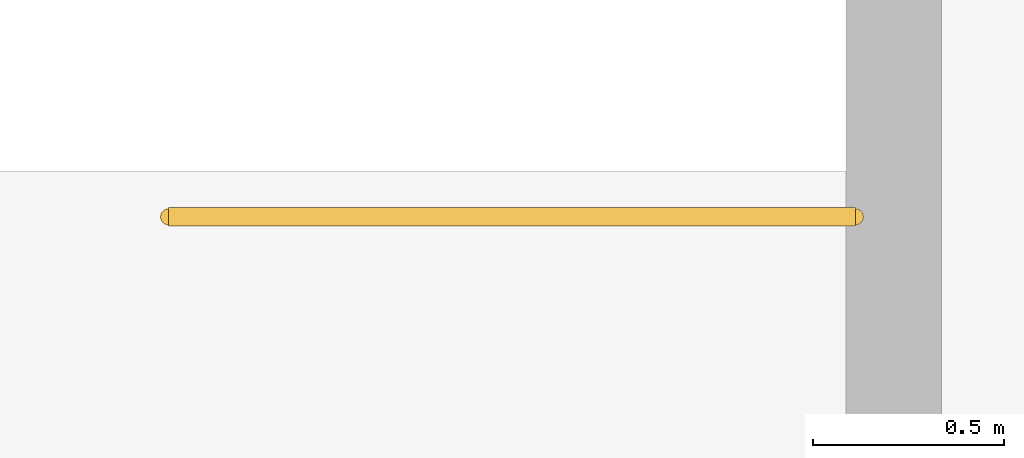
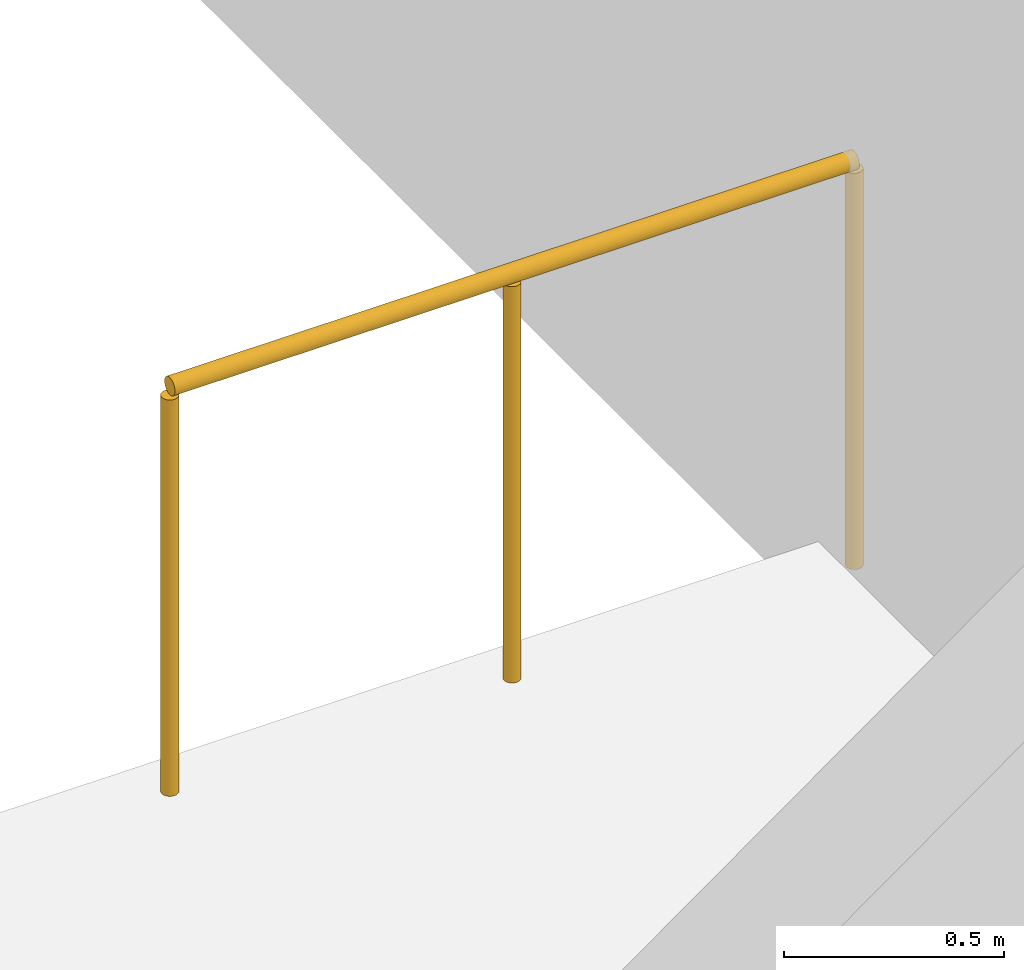
# One storey, part 21 of 21: 1 railing.
"""IFC4 building model written with IfcOpenShell, lengths in metres."""

from ifc_helpers import new_model, si_unit, direction, frame, origin, origin_2d, place, context, subcontext, project, spatial, circle, extrude, material, layer, layer_set, type_object, element, save


model = new_model("IFC4")

# Units and contexts
model_context = context("Model", 3, precision=1e-05, world=origin(), true_north=direction((0.0, 1.0)))
body_context = subcontext(model_context, "Body", "Model", "MODEL_VIEW")
ifc_project = project(units=[si_unit("LENGTHUNIT", "METRE"), si_unit("AREAUNIT", "SQUARE_METRE"), si_unit("VOLUMEUNIT", "CUBIC_METRE"), si_unit("PLANEANGLEUNIT", "RADIAN"), si_unit("MASSUNIT", "GRAM", prefix="KILO")], contexts=[model_context])

# Site, building, storey
site_placement = place(None, origin())
site = spatial("IfcSite", under=ifc_project, at=site_placement, CompositionType="ELEMENT")
building_placement = place(site_placement, origin())
building = spatial("IfcBuilding", under=site, at=building_placement, Name="Kallvorn Hotel Tower", CompositionType="ELEMENT")
storey_placement = place(building_placement, frame((0.0, 0.0, 300.60009765625)))
storey = spatial("IfcBuildingStorey", under=building, at=storey_placement, Name="L74", CompositionType="ELEMENT", Elevation=300.60009765625)

# Railing
ifc_material = material(Name="Brushed stainless-steel tubular railing", Category="steel")
ifc_layer = layer(ifc_material, 0.050048828125)
ifc_layer_set = layer_set([ifc_layer], Name="RL_STAIR_GUARD")
railing_type = type_object("IfcRailingType", Name="RL_STAIR_GUARD", PredefinedType="GUARDRAIL", material=ifc_layer_set)
railing_placement = place(storey_placement, frame((20.159912109375, -3.18994140625, 0.0)))
element("IfcRailing", 1, at=railing_placement, inside=storey, type_object=railing_type, Name="L74 ST4 top well guard 1", PredefinedType="GUARDRAIL", context=body_context, shape_type="SweptSolid", body=[
    extrude(circle(Radius=0.02392578125, at=origin_2d()), frame((0.0, 0.0, 1.1259765625), z_axis=(-1.0, 0.0, 0.0), x_axis=(0.0, -1.0, 0.0)), (0.0, 0.0, 1.0), 1.7998046875),
    extrude(circle(Radius=0.02099609375, at=origin_2d()), origin(), (0.0, 0.0, 1.0), 1.101806640625),
    extrude(circle(Radius=0.02099609375, at=origin_2d()), frame((-0.89990234375, 0.0, 0.0)), (0.0, 0.0, 1.0), 1.101806640625),
    extrude(circle(Radius=0.02099609375, at=origin_2d()), frame((-1.7998046875, 0.0, 0.0)), (0.0, 0.0, 1.0), 1.101806640625),
])

save(model, "model.ifc")
